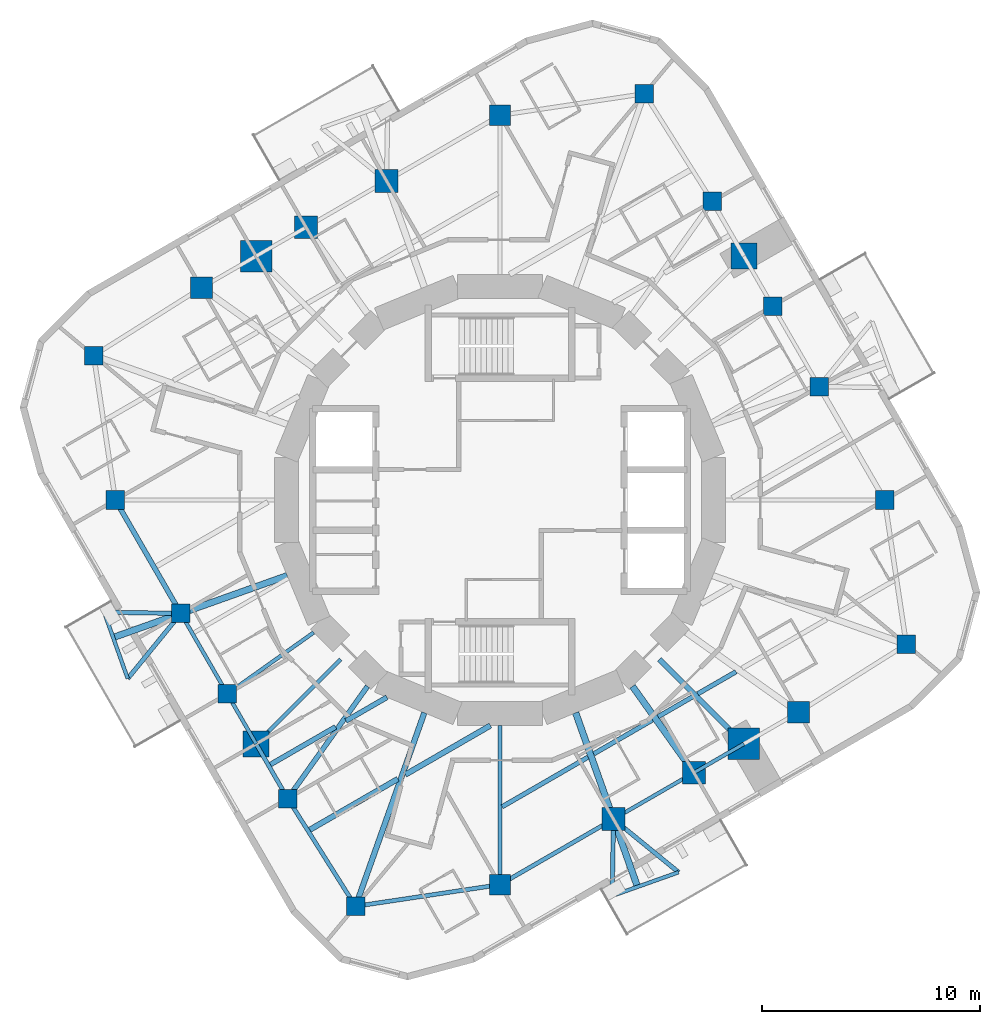
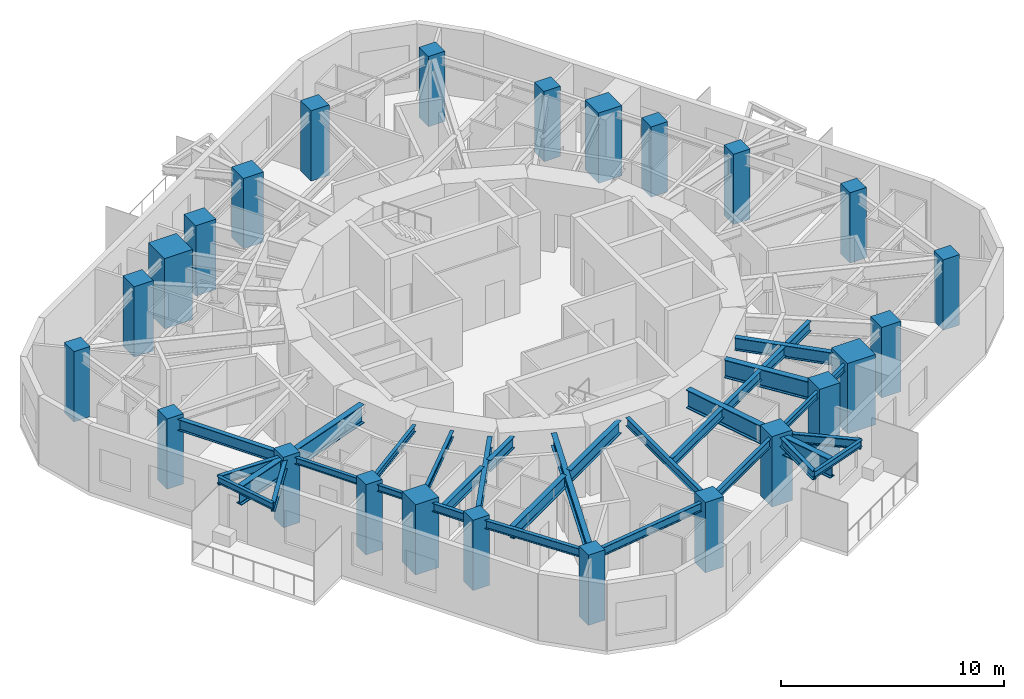
# One storey, part 1 of 11: 32 beams, 24 columns.
"""IFC4 building model written with IfcOpenShell, lengths in metres."""

import ifcopenshell
import ifcopenshell.guid

model = None  # the IFC model being written
_history = None  # IfcOwnerHistory: only IFC2X3 demands one
_inside = {}  # id of a spatial element -> (the spatial element, [elements in it])
_under = {}  # id of a project, library or spatial element -> (it, [spatial elements below it])
_declared = {}  # id of a project -> (the project, [libraries it declares])
_typed = {}  # id of a type object -> (the type object, [elements of that type])
_made_of = {}  # id of a material, layer set ... -> (it, [elements and type objects made of it])


def new_model(schema):
    """Start an empty IFC model of exactly this schema.

    Asked for "IFC4X3", IfcOpenShell would pick the latest addendum, in which some entities
    have other attributes; the version numbers below select the first issue.
    IFC2X3 requires an IfcOwnerHistory on every rooted entity: one is made here for all.
    """
    global model, _history
    if schema == "IFC4X3":
        model = ifcopenshell.file(schema_version=(4, 3, 0, 0))
    else:
        model = ifcopenshell.file(schema=schema)
    _inside.clear()
    _under.clear()
    _declared.clear()
    _typed.clear()
    _made_of.clear()
    _history = None
    if model.schema == "IFC2X3":
        org = make("IfcOrganization", Name="unknown")
        user = make(
            "IfcPersonAndOrganization",
            ThePerson=make("IfcPerson", FamilyName="unknown"),
            TheOrganization=org,
        )
        app = make(
            "IfcApplication",
            ApplicationDeveloper=org,
            Version="unknown",
            ApplicationFullName="unknown",
            ApplicationIdentifier="unknown",
        )
        _history = make(
            "IfcOwnerHistory",
            OwningUser=user,
            OwningApplication=app,
            ChangeAction="ADDED",
            CreationDate=0,
        )
    return model


def make(cls, **values):
    """One entity of the class cls with the attributes given. An attribute that is None is left unset."""
    return model.create_entity(
        cls, **{name: value for name, value in values.items() if value is not None}
    )


def rooted(cls, **values):
    """An entity with a GlobalId (a new one), such as an element, a storey or a relation."""
    return make(cls, GlobalId=ifcopenshell.guid.new(), OwnerHistory=_history, **values)


def si_unit(unit_type, name, prefix=None):
    """IfcSIUnit, for example si_unit("LENGTHUNIT", "METRE", prefix="MILLI")."""
    return make("IfcSIUnit", UnitType=unit_type, Prefix=prefix, Name=name)


def assignment(units):
    """IfcUnitAssignment: the units of a project."""
    return None if units is None else make("IfcUnitAssignment", Units=units)


def point(xyz):
    """IfcCartesianPoint."""
    return None if xyz is None else make("IfcCartesianPoint", Coordinates=xyz)


def direction(xyz):
    """IfcDirection."""
    return None if xyz is None else make("IfcDirection", DirectionRatios=xyz)


def frame(location, z_axis=None, x_axis=None):
    """IfcAxis2Placement3D, a coordinate frame: its origin and axes. An axis left out is left unset."""
    return make(
        "IfcAxis2Placement3D",
        Location=point(location),
        Axis=direction(z_axis),
        RefDirection=direction(x_axis),
    )


def frame_2d(location, x_axis=None):
    """IfcAxis2Placement2D, a coordinate frame in the plane: its origin and x axis."""
    return make(
        "IfcAxis2Placement2D", Location=point(location), RefDirection=direction(x_axis)
    )


def origin():
    """The frame at (0, 0, 0) with its axes left unset."""
    return frame((0.0, 0.0, 0.0))


def origin_2d():
    """The frame at (0, 0) in the plane with its x axis left unset."""
    return frame_2d((0.0, 0.0))


def place(relative_to, where):
    """IfcLocalPlacement: puts the frame where relative to a parent placement (None: the world)."""
    return make(
        "IfcLocalPlacement", PlacementRelTo=relative_to, RelativePlacement=where
    )


def context(
    kind, dimensions, precision=None, world=None, true_north=None, identifier=None
):
    """IfcGeometricRepresentationContext, for example the 3D "Model" context."""
    return make(
        "IfcGeometricRepresentationContext",
        ContextIdentifier=identifier,
        ContextType=kind,
        CoordinateSpaceDimension=dimensions,
        Precision=precision,
        WorldCoordinateSystem=world,
        TrueNorth=true_north,
    )


def subcontext(parent, identifier, kind, view, scale=None):
    """IfcGeometricRepresentationSubContext, for example "Body" below "Model"."""
    return make(
        "IfcGeometricRepresentationSubContext",
        ContextIdentifier=identifier,
        ContextType=kind,
        ParentContext=parent,
        TargetScale=scale,
        TargetView=view,
    )


def project(units=None, contexts=None):
    """IfcProject with its units and contexts."""
    return rooted(
        "IfcProject",
        Name="project",
        RepresentationContexts=contexts,
        UnitsInContext=assignment(units),
    )


def spatial(cls, under=None, at=None, **own):
    """A site, building, storey or space (cls), placed at a placement, below another one or the project."""
    s = rooted(cls, ObjectPlacement=at, **own)
    if under is not None:
        _under.setdefault(under.id(), (under, []))[1].append(s)
    return s


def profile(cls, at=None, kind="AREA", **sizes):
    """A parametric profile (cls). Its sizes go by their IFC names, for example OverallWidth=200.0."""
    return make(cls, ProfileType=kind, Position=at, **sizes)


def rectangle(**sizes):
    """IfcRectangleProfileDef."""
    return profile("IfcRectangleProfileDef", **sizes)


def i_section(**sizes):
    """IfcIShapeProfileDef."""
    return profile("IfcIShapeProfileDef", **sizes)


def extrude(swept, where, along, depth):
    """IfcExtrudedAreaSolid: the profile swept, set in the frame where, extruded along a direction by depth."""
    return make(
        "IfcExtrudedAreaSolid",
        SweptArea=swept,
        Position=where,
        ExtrudedDirection=direction(along),
        Depth=depth,
    )


def shape(context_of_items, identifier, shape_type, items):
    """IfcShapeRepresentation: the items that make up one representation, for example the "Body"."""
    return make(
        "IfcShapeRepresentation",
        ContextOfItems=context_of_items,
        RepresentationIdentifier=identifier,
        RepresentationType=shape_type,
        Items=items,
    )


def material(Name=None, Category=None):
    """IfcMaterial."""
    return make("IfcMaterial", Name=Name, Category=Category)


def material_profile(
    of_material, cross_section, Name=None, Category=None, Priority=None
):
    """IfcMaterialProfile: a cross section and its material."""
    return make(
        "IfcMaterialProfile",
        Name=Name,
        Material=of_material,
        Profile=cross_section,
        Priority=Priority,
        Category=Category,
    )


def profile_set(profiles, Name=None, composite=None):
    """IfcMaterialProfileSet."""
    return make(
        "IfcMaterialProfileSet",
        Name=Name,
        MaterialProfiles=profiles,
        CompositeProfile=composite,
    )


def made_of(thing, what):
    """Note that an element or type object is made of a material, layer set ...; save() writes the relation."""
    if what is not None:
        _made_of.setdefault(what.id(), (what, []))[1].append(thing)
    return thing


def type_object(cls, material=None, **own):
    """A type object (cls), such as IfcWallType, which elements share."""
    return made_of(rooted(cls, **own), material)


def element(
    cls,
    number,
    at=None,
    inside=None,
    cuts=None,
    type_object=None,
    material=None,
    context=None,
    identifier="Body",
    shape_type=None,
    held_by="IfcProductDefinitionShape",
    body=None,
    shapes=None,
    **own,
):
    """One element of the class cls, such as IfcWall. Its Tag is "e" and its number.

    at: its placement. inside: the storey or other place that contains it. cuts: it is an
    opening in that element (IfcRelVoidsElement). A single representation is given by context,
    identifier, shape_type and body (its items); several are given by shapes. held_by: the class
    of the entity that holds the representations. save() writes the other relations.
    """
    e = rooted(cls, Tag="e%d" % number, ObjectPlacement=at, **own)
    if body is not None:
        shapes = [shape(context, identifier, shape_type, body)]
    if shapes is not None:
        e.Representation = make(held_by, Representations=shapes)
    if inside is not None:
        _inside.setdefault(inside.id(), (inside, []))[1].append(e)
    if cuts is not None:
        rooted(
            "IfcRelVoidsElement", RelatingBuildingElement=cuts, RelatedOpeningElement=e
        )
    if type_object is not None:
        _typed.setdefault(type_object.id(), (type_object, []))[1].append(e)
    return made_of(e, material)


def aggregate(whole, parts):
    """IfcRelAggregates: a whole, such as a stair, and the parts it consists of."""
    return rooted("IfcRelAggregates", RelatingObject=whole, RelatedObjects=parts)


def save(model, path):
    """Write the relations noted so far, then the file.

    IfcRelAggregates (storeys below a building ...), IfcRelContainedInSpatialStructure (elements
    in a storey), IfcRelDefinesByType, IfcRelAssociatesMaterial and IfcRelDeclares: one each for
    every whole, place, type object, material and project.
    """
    for whole, parts in _under.values():
        aggregate(whole, parts)
    for where, things in _inside.values():
        rooted(
            "IfcRelContainedInSpatialStructure",
            RelatedElements=things,
            RelatingStructure=where,
        )
    for kind, things in _typed.values():
        rooted("IfcRelDefinesByType", RelatedObjects=things, RelatingType=kind)
    for what, things in _made_of.values():
        rooted("IfcRelAssociatesMaterial", RelatedObjects=things, RelatingMaterial=what)
    for by, libraries in _declared.values():
        rooted("IfcRelDeclares", RelatingContext=by, RelatedDefinitions=libraries)
    model.write(path)


model = new_model("IFC4")

# Units and contexts
model_context = context("Model", 3, precision=1e-05, world=origin(), true_north=direction((0.0, 1.0)))
body_context = subcontext(model_context, "Body", "Model", "MODEL_VIEW")
ifc_project = project(units=[si_unit("LENGTHUNIT", "METRE"), si_unit("AREAUNIT", "SQUARE_METRE"), si_unit("VOLUMEUNIT", "CUBIC_METRE"), si_unit("PLANEANGLEUNIT", "RADIAN"), si_unit("MASSUNIT", "GRAM", prefix="KILO")], contexts=[model_context])

# Site, building, storey
site_placement = place(None, origin())
site = spatial("IfcSite", under=ifc_project, at=site_placement, CompositionType="ELEMENT")
building_placement = place(site_placement, origin())
building = spatial("IfcBuilding", under=site, at=building_placement, Name="Nakasero Lantern House", CompositionType="ELEMENT")
storey_placement = place(building_placement, frame((0.0, 0.0, 242.35009765625)))
storey = spatial("IfcBuildingStorey", under=building, at=storey_placement, Name="L59", CompositionType="ELEMENT", Elevation=242.35009765625)

# Columns
ifc_material_1 = material(Name="Concrete C45/55", Category="concrete")
ifc_material_profile_1 = material_profile(ifc_material_1, rectangle(XDim=1.199951171875, YDim=1.199951171875, at=origin_2d()), Name="RC 1200x1200")
ifc_profile_set_1 = profile_set([ifc_material_profile_1], Name="Concrete C45/55")
column_type_1 = type_object("IfcColumnType", Name="Mega column RC 1200x1200 C45/55", PredefinedType="COLUMN", material=ifc_profile_set_1)
for number, where, z_axis, x_axis, name in (
    (1, (11.200439453125, 11.200439453125, 0.0), (0.0, 0.0, 1.0), (1.0, 0.0, 0.0), "Column B6-C06 L59"),
    (2, (-11.200439453125, -11.200439453125, 0.0), (0.0, 0.0, 1.0), (1.0, 0.0, 0.0), "Column B6-C18 L59"),
):
    element("IfcColumn", number, at=place(storey_placement, frame(where, z_axis=z_axis, x_axis=x_axis)), inside=storey, type_object=column_type_1, Name=name, PredefinedType="COLUMN", context=body_context, shape_type="SweptSolid", body=[
        extrude(rectangle(XDim=1.199951171875, YDim=1.199951171875, at=origin_2d()), origin(), (0.0, 0.0, 1.0), 3.849853515625),
    ])
ifc_material_2 = material(Name="Concrete C45/55", Category="concrete")
ifc_material_profile_2 = material_profile(ifc_material_2, rectangle(XDim=1.449951171875, YDim=1.449951171875, at=origin_2d()), Name="RC 1450x1450")
ifc_profile_set_2 = profile_set([ifc_material_profile_2], Name="Concrete C45/55")
column_type_2 = type_object("IfcColumnType", Name="Mega column RC 1450x1450 C45/55", PredefinedType="COLUMN", material=ifc_profile_set_2)
for number, where, z_axis, x_axis, name in (
    (3, (-11.200439453125, 11.200439453125, 0.0), (0.0, 0.0, 1.0), (1.0, 0.0, 0.0), "Column B6-C12 L59"),
    (4, (11.200439453125, -11.200439453125, 0.0), (0.0, 0.0, 1.0), (1.0, 0.0, 0.0), "Column B6-C24 L59"),
):
    element("IfcColumn", number, at=place(storey_placement, frame(where, z_axis=z_axis, x_axis=x_axis)), inside=storey, type_object=column_type_2, Name=name, PredefinedType="COLUMN", context=body_context, shape_type="SweptSolid", body=[
        extrude(rectangle(XDim=1.449951171875, YDim=1.449951171875, at=origin_2d()), origin(), (0.0, 0.0, 1.0), 3.849853515625),
    ])
ifc_material_3 = material(Name="Concrete C45/55", Category="concrete")
ifc_material_profile_3 = material_profile(ifc_material_3, rectangle(XDim=1.0, YDim=1.0, at=origin_2d()), Name="RC 1000x1000")
ifc_profile_set_3 = profile_set([ifc_material_profile_3], Name="Concrete C45/55")
column_type_3 = type_object("IfcColumnType", Name="Ring column RC 1000x1000 C45/55", PredefinedType="COLUMN", material=ifc_profile_set_3)
for number, where, z_axis, x_axis, name in (
    (5, (13.711669921875, -9.75048828125, 0.0), (0.0, 0.0, 1.0), (1.0, 0.0, 0.0), "Column B6-C01 L59"),
    (6, (-13.711669921875, 9.75048828125, 0.0), (0.0, 0.0, 1.0), (1.0, 0.0, 0.0), "Column B6-C13 L59"),
):
    element("IfcColumn", number, at=place(storey_placement, frame(where, z_axis=z_axis, x_axis=x_axis)), inside=storey, type_object=column_type_3, Name=name, PredefinedType="COLUMN", context=body_context, shape_type="SweptSolid", body=[
        extrude(rectangle(XDim=1.0, YDim=1.0, at=origin_2d()), origin(), (0.0, 0.0, 1.0), 3.849853515625),
    ])
ifc_material_4 = material(Name="Concrete C45/55", Category="concrete")
ifc_material_profile_4 = material_profile(ifc_material_4, rectangle(XDim=1.050048828125, YDim=1.050048828125, at=origin_2d()), Name="RC 1050x1050")
ifc_profile_set_4 = profile_set([ifc_material_profile_4], Name="Concrete C45/55")
column_type_4 = type_object("IfcColumnType", Name="Ring column RC 1050x1050 C45/55", PredefinedType="COLUMN", material=ifc_profile_set_4)
for number, where, z_axis, x_axis, name in (
    (7, (-5.211669921875, 14.657958984375, 0.0), (0.0, 0.0, 1.0), (1.0, 0.0, 0.0), "Column B6-C10 L59"),
    (8, (-8.906494140625, 12.524658203125, 0.0), (0.0, 0.0, 1.0), (1.0, 0.0, 0.0), "Column B6-C11 L59"),
    (9, (5.211669921875, -14.657958984375, 0.0), (0.0, 0.0, 1.0), (1.0, 0.0, 0.0), "Column B6-C22 L59"),
    (10, (8.906494140625, -12.524658203125, 0.0), (0.0, 0.0, 1.0), (1.0, 0.0, 0.0), "Column B6-C23 L59"),
):
    element("IfcColumn", number, at=place(storey_placement, frame(where, z_axis=z_axis, x_axis=x_axis)), inside=storey, type_object=column_type_4, Name=name, PredefinedType="COLUMN", context=body_context, shape_type="SweptSolid", body=[
        extrude(rectangle(XDim=1.050048828125, YDim=1.050048828125, at=origin_2d()), origin(), (0.0, 0.0, 1.0), 3.849853515625),
    ])
ifc_material_5 = material(Name="Concrete C45/55", Category="concrete")
ifc_material_profile_5 = material_profile(ifc_material_5, rectangle(XDim=0.85009765625, YDim=0.85009765625, at=origin_2d()), Name="RC 850x850")
ifc_profile_set_5 = profile_set([ifc_material_profile_5], Name="Concrete C45/55")
column_type_5 = type_object("IfcColumnType", Name="Ring column RC 850x850 C45/55", PredefinedType="COLUMN", material=ifc_profile_set_5)
for number, where, z_axis, x_axis, name in (
    (11, (18.661376953125, -6.63525390625, 0.0), (0.0, 0.0, 1.0), (1.0, 0.0, 0.0), "Column B6-C02 L59"),
    (12, (17.6669921875, 0.0, 0.0), (0.0, 0.0, 1.0), (1.0, 0.0, 0.0), "Column B6-C03 L59"),
    (13, (14.657958984375, 5.211669921875, 0.0), (0.0, 0.0, 1.0), (1.0, 0.0, 0.0), "Column B6-C04 L59"),
    (14, (12.524658203125, 8.906494140625, 0.0), (0.0, 0.0, 1.0), (1.0, 0.0, 0.0), "Column B6-C05 L59"),
    (15, (9.75048828125, 13.711669921875, 0.0), (0.0, 0.0, 1.0), (1.0, 0.0, 0.0), "Column B6-C07 L59"),
    (16, (6.63525390625, 18.661376953125, 0.0), (0.0, 0.0, 1.0), (1.0, 0.0, 0.0), "Column B6-C08 L59"),
    (17, (-18.661376953125, 6.63525390625, 0.0), (0.0, 0.0, 1.0), (1.0, 0.0, 0.0), "Column B6-C14 L59"),
    (18, (-17.6669921875, 0.0, 0.0), (0.0, 0.0, 1.0), (1.0, 0.0, 0.0), "Column B6-C15 L59"),
    (19, (-14.657958984375, -5.211669921875, 0.0), (0.0, 0.0, 1.0), (1.0, 0.0, 0.0), "Column B6-C16 L59"),
    (20, (-12.524658203125, -8.906494140625, 0.0), (0.0, 0.0, 1.0), (1.0, 0.0, 0.0), "Column B6-C17 L59"),
    (21, (-9.75048828125, -13.711669921875, 0.0), (0.0, 0.0, 1.0), (1.0, 0.0, 0.0), "Column B6-C19 L59"),
    (22, (-6.63525390625, -18.661376953125, 0.0), (0.0, 0.0, 1.0), (1.0, 0.0, 0.0), "Column B6-C20 L59"),
):
    element("IfcColumn", number, at=place(storey_placement, frame(where, z_axis=z_axis, x_axis=x_axis)), inside=storey, type_object=column_type_5, Name=name, PredefinedType="COLUMN", context=body_context, shape_type="SweptSolid", body=[
        extrude(rectangle(XDim=0.85009765625, YDim=0.85009765625, at=origin_2d()), origin(), (0.0, 0.0, 1.0), 3.849853515625),
    ])
ifc_material_6 = material(Name="Concrete C45/55", Category="concrete")
ifc_material_profile_6 = material_profile(ifc_material_6, rectangle(XDim=0.949951171875, YDim=0.949951171875, at=origin_2d()), Name="RC 950x950")
ifc_profile_set_6 = profile_set([ifc_material_profile_6], Name="Concrete C45/55")
column_type_6 = type_object("IfcColumnType", Name="Ring column RC 950x950 C45/55", PredefinedType="COLUMN", material=ifc_profile_set_6)
for number, where, z_axis, x_axis, name in (
    (23, (0.0, 17.6669921875, 0.0), (0.0, 0.0, 1.0), (1.0, 0.0, 0.0), "Column B6-C09 L59"),
    (24, (0.0, -17.6669921875, 0.0), (0.0, 0.0, 1.0), (1.0, 0.0, 0.0), "Column B6-C21 L59"),
):
    element("IfcColumn", number, at=place(storey_placement, frame(where, z_axis=z_axis, x_axis=x_axis)), inside=storey, type_object=column_type_6, Name=name, PredefinedType="COLUMN", context=body_context, shape_type="SweptSolid", body=[
        extrude(rectangle(XDim=0.949951171875, YDim=0.949951171875, at=origin_2d()), origin(), (0.0, 0.0, 1.0), 3.849853515625),
    ])

# Beams
ifc_material_7 = material(Name="Steel S355", Category="steel")
ifc_material_profile_7 = material_profile(ifc_material_7, i_section(OverallWidth=0.199462890625, OverallDepth=0.491943359375, WebThickness=0.01806640625, FlangeThickness=0.031982421875, FilletRadius=0.01025390625, at=origin_2d()), Name="UB 457x191x161")
ifc_profile_set_7 = profile_set([ifc_material_profile_7], Name="Steel S355")
beam_type_1 = type_object("IfcBeamType", Name="Balcony splay beam UB 457x191x161", PredefinedType="BEAM", material=ifc_profile_set_7)
beam_1_placement = place(storey_placement, frame((-14.657958984375, -5.211669921875, 3.40380859375), z_axis=(-0.632127727159, -0.774864205236, 0.0), x_axis=(0.774864205236, -0.632127727159, 0.0)))
element("IfcBeam", 25, at=beam_1_placement, inside=storey, type_object=beam_type_1, Name="Balcony splay beam L60 B6-C16A", PredefinedType="BEAM", context=body_context, shape_type="SweptSolid", body=[
    extrude(i_section(OverallWidth=0.199462890625, OverallDepth=0.491943359375, WebThickness=0.01806640625, FlangeThickness=0.031982421875, FilletRadius=0.01025390625, at=origin_2d()), origin(), (0.0, 0.0, 1.0), 3.858642578125),
])
beam_2_placement = place(storey_placement, frame((-14.657958984375, -5.211669921875, 3.40380859375), z_axis=(-0.99985827803, 0.016835196893, 0.0), x_axis=(-0.016835196893, -0.99985827803, 0.0)))
element("IfcBeam", 26, at=beam_2_placement, inside=storey, type_object=beam_type_1, Name="Balcony splay beam L60 B6-C16B", PredefinedType="BEAM", context=body_context, shape_type="SweptSolid", body=[
    extrude(i_section(OverallWidth=0.199462890625, OverallDepth=0.491943359375, WebThickness=0.01806640625, FlangeThickness=0.031982421875, FilletRadius=0.01025390625, at=origin_2d()), origin(), (0.0, 0.0, 1.0), 3.52392578125),
])
beam_3_placement = place(storey_placement, frame((5.211669921875, -14.657958984375, 3.40380859375), z_axis=(0.774864205236, -0.632127727159, 0.0), x_axis=(0.632127727159, 0.774864205236, 0.0)))
element("IfcBeam", 27, at=beam_3_placement, inside=storey, type_object=beam_type_1, Name="Balcony splay beam L60 B6-C22A", PredefinedType="BEAM", context=body_context, shape_type="SweptSolid", body=[
    extrude(i_section(OverallWidth=0.199462890625, OverallDepth=0.491943359375, WebThickness=0.01806640625, FlangeThickness=0.031982421875, FilletRadius=0.01025390625, at=origin_2d()), origin(), (0.0, 0.0, 1.0), 3.858642578125),
])
beam_4_placement = place(storey_placement, frame((5.211669921875, -14.657958984375, 3.40380859375), z_axis=(-0.016835196893, -0.99985827803, 0.0), x_axis=(0.99985827803, -0.016835196893, 0.0)))
element("IfcBeam", 28, at=beam_4_placement, inside=storey, type_object=beam_type_1, Name="Balcony splay beam L60 B6-C22B", PredefinedType="BEAM", context=body_context, shape_type="SweptSolid", body=[
    extrude(i_section(OverallWidth=0.199462890625, OverallDepth=0.491943359375, WebThickness=0.01806640625, FlangeThickness=0.031982421875, FilletRadius=0.01025390625, at=origin_2d()), origin(), (0.0, 0.0, 1.0), 3.52392578125),
])
ifc_material_8 = material(Name="Steel S355", Category="steel")
ifc_material_profile_8 = material_profile(ifc_material_8, i_section(OverallWidth=0.17138671875, OverallDepth=0.35498046875, WebThickness=0.00732421875, FlangeThickness=0.011474609375, FilletRadius=0.01025390625, at=origin_2d()), Name="UB 356x171x51")
ifc_profile_set_8 = profile_set([ifc_material_profile_8], Name="Steel S355")
beam_type_2 = type_object("IfcBeamType", Name="Balcony tie beam UB 356x171x51", PredefinedType="BEAM", material=ifc_profile_set_8)
for number, where, z_axis, x_axis, name in (
    (29, (-17.09716796875, -8.20166015625, 3.472412109375), (-0.335017108852, 0.942212044487, 0.0), (-0.942212044487, -0.335017108852, 0.0), "Balcony tie beam L60 B6-C16"),
    (30, (8.20166015625, -17.09716796875, 3.472412109375), (-0.942212044487, -0.335017108852, 0.0), (0.335017108852, -0.942212044487, 0.0), "Balcony tie beam L60 B6-C22"),
):
    element("IfcBeam", number, at=place(storey_placement, frame(where, z_axis=z_axis, x_axis=x_axis)), inside=storey, type_object=beam_type_2, Name=name, PredefinedType="BEAM", context=body_context, shape_type="SweptSolid", body=[
        extrude(i_section(OverallWidth=0.17138671875, OverallDepth=0.35498046875, WebThickness=0.00732421875, FlangeThickness=0.011474609375, FilletRadius=0.01025390625, at=origin_2d()), origin(), (0.0, 0.0, 1.0), 3.236328125),
    ])
ifc_material_9 = material(Name="Steel S355", Category="steel")
ifc_material_profile_9 = material_profile(ifc_material_9, i_section(OverallWidth=0.2099609375, OverallDepth=0.53662109375, WebThickness=0.0107421875, FlangeThickness=0.017333984375, FilletRadius=0.0126953125, at=origin_2d()), Name="UB 533x210x101")
ifc_profile_set_9 = profile_set([ifc_material_profile_9], Name="Steel S355")
beam_type_3 = type_object("IfcBeamType", Name="Infill beam UB 533x210x101", PredefinedType="JOIST", material=ifc_profile_set_9)
beam_5_placement = place(storey_placement, frame((0.095703125, -14.08984375, 3.381591796875), z_axis=(0.866027576455, 0.499996236806, 0.0), x_axis=(-0.499996236806, 0.866027576455, 0.0)))
element("IfcBeam", 31, at=beam_5_placement, inside=storey, type_object=beam_type_3, Name="Infill beam L60 03.1", PredefinedType="JOIST", context=body_context, shape_type="SweptSolid", body=[
    extrude(i_section(OverallWidth=0.2099609375, OverallDepth=0.53662109375, WebThickness=0.0107421875, FlangeThickness=0.017333984375, FilletRadius=0.0126953125, at=origin_2d()), origin(), (0.0, 0.0, 1.0), 4.55419921875),
])
beam_6_placement = place(storey_placement, frame((4.3056640625, -11.6591796875, 3.381591796875), z_axis=(0.866018346476, 0.500012223418, 0.0), x_axis=(-0.500012223418, 0.866018346476, 0.0)))
element("IfcBeam", 32, at=beam_6_placement, inside=storey, type_object=beam_type_3, Name="Infill beam L60 03.2", PredefinedType="JOIST", context=body_context, shape_type="SweptSolid", body=[
    extrude(i_section(OverallWidth=0.2099609375, OverallDepth=0.53662109375, WebThickness=0.0107421875, FlangeThickness=0.017333984375, FilletRadius=0.0126953125, at=origin_2d()), origin(), (0.0, 0.0, 1.0), 3.11181640625),
])
beam_7_placement = place(storey_placement, frame((7.261474609375, -9.95263671875, 3.381591796875), z_axis=(0.866028611999, 0.499994443168, 0.0), x_axis=(-0.499994443168, 0.866028611999, 0.0)))
element("IfcBeam", 33, at=beam_7_placement, inside=storey, type_object=beam_type_3, Name="Infill beam L60 03.3", PredefinedType="JOIST", context=body_context, shape_type="SweptSolid", body=[
    extrude(i_section(OverallWidth=0.2099609375, OverallDepth=0.53662109375, WebThickness=0.0107421875, FlangeThickness=0.017333984375, FilletRadius=0.0126953125, at=origin_2d()), origin(), (0.0, 0.0, 1.0), 1.8388671875),
])
beam_8_placement = place(storey_placement, frame((9.081298828125, -8.90185546875, 3.381591796875), z_axis=(0.866073420066, 0.499916824138, 0.0), x_axis=(-0.499916824138, 0.866073420066, 0.0)))
element("IfcBeam", 34, at=beam_8_placement, inside=storey, type_object=beam_type_3, Name="Infill beam L60 03.4", PredefinedType="JOIST", context=body_context, shape_type="SweptSolid", body=[
    extrude(i_section(OverallWidth=0.2099609375, OverallDepth=0.53662109375, WebThickness=0.0107421875, FlangeThickness=0.017333984375, FilletRadius=0.0126953125, at=origin_2d()), origin(), (0.0, 0.0, 1.0), 2.029541015625),
])
ifc_material_10 = material(Name="Steel S355", Category="steel")
ifc_material_profile_10 = material_profile(ifc_material_10, i_section(OverallWidth=0.22900390625, OverallDepth=0.6123046875, WebThickness=0.011962890625, FlangeThickness=0.01953125, FilletRadius=0.0126953125, at=origin_2d()), Name="UB 610x229x125")
ifc_profile_set_10 = profile_set([ifc_material_profile_10], Name="Steel S355")
beam_type_4 = type_object("IfcBeamType", Name="Infill beam UB 610x229x125", PredefinedType="JOIST", material=ifc_profile_set_10)
beam_9_placement = place(storey_placement, frame((-10.542236328125, -12.14892578125, 3.34375), z_axis=(0.866006607564, 0.500032554596, 0.0), x_axis=(-0.500032554596, 0.866006607564, 0.0)))
element("IfcBeam", 35, at=beam_9_placement, inside=storey, type_object=beam_type_4, Name="Infill beam L60 05.1", PredefinedType="JOIST", context=body_context, shape_type="SweptSolid", body=[
    extrude(i_section(OverallWidth=0.22900390625, OverallDepth=0.6123046875, WebThickness=0.011962890625, FlangeThickness=0.01953125, FilletRadius=0.0126953125, at=origin_2d()), origin(), (0.0, 0.0, 1.0), 3.452880859375),
])
beam_10_placement = place(storey_placement, frame((-7.0751953125, -10.14697265625, 3.34375), z_axis=(0.866043427695, 0.499968780372, 0.0), x_axis=(-0.499968780372, 0.866043427695, 0.0)))
element("IfcBeam", 36, at=beam_10_placement, inside=storey, type_object=beam_type_4, Name="Infill beam L60 05.2", PredefinedType="JOIST", context=body_context, shape_type="SweptSolid", body=[
    extrude(i_section(OverallWidth=0.22900390625, OverallDepth=0.6123046875, WebThickness=0.011962890625, FlangeThickness=0.01953125, FilletRadius=0.0126953125, at=origin_2d()), origin(), (0.0, 0.0, 1.0), 2.173583984375),
])
ifc_material_11 = material(Name="Steel S355", Category="steel")
ifc_material_profile_11 = material_profile(ifc_material_11, i_section(OverallWidth=0.253662109375, OverallDepth=0.68359375, WebThickness=0.012451171875, FlangeThickness=0.01904296875, FilletRadius=0.01513671875, at=origin_2d()), Name="UB 686x254x140")
ifc_profile_set_11 = profile_set([ifc_material_profile_11], Name="Steel S355")
beam_type_5 = type_object("IfcBeamType", Name="Infill beam UB 686x254x140", PredefinedType="JOIST", material=ifc_profile_set_11)
beam_11_placement = place(storey_placement, frame((-8.735107421875, -15.146728515625, 3.30810546875), z_axis=(0.866030607649, 0.499990986534, 0.0), x_axis=(-0.499990986534, 0.866030607649, 0.0)))
element("IfcBeam", 37, at=beam_11_placement, inside=storey, type_object=beam_type_5, Name="Infill beam L60 04.1", PredefinedType="JOIST", context=body_context, shape_type="SweptSolid", body=[
    extrude(i_section(OverallWidth=0.253662109375, OverallDepth=0.68359375, WebThickness=0.012451171875, FlangeThickness=0.01904296875, FilletRadius=0.01513671875, at=origin_2d()), origin(), (0.0, 0.0, 1.0), 4.66943359375),
])
beam_12_placement = place(storey_placement, frame((-4.349609375, -12.61474609375, 3.30810546875), z_axis=(0.86603787505, 0.499978398512, 0.0), x_axis=(-0.499978398512, 0.86603787505, 0.0)))
element("IfcBeam", 38, at=beam_12_placement, inside=storey, type_object=beam_type_5, Name="Infill beam L60 04.2", PredefinedType="JOIST", context=body_context, shape_type="SweptSolid", body=[
    extrude(i_section(OverallWidth=0.253662109375, OverallDepth=0.68359375, WebThickness=0.012451171875, FlangeThickness=0.01904296875, FilletRadius=0.01513671875, at=origin_2d()), origin(), (0.0, 0.0, 1.0), 4.513916015625),
])
ifc_material_12 = material(Name="Steel S355", Category="steel")
ifc_material_profile_12 = material_profile(ifc_material_12, i_section(OverallWidth=0.300048828125, OverallDepth=0.989990234375, WebThickness=0.0166015625, FlangeThickness=0.031005859375, FilletRadius=0.030029296875, at=origin_2d()), Name="UB 1016x305x272")
ifc_profile_set_12 = profile_set([ifc_material_profile_12], Name="Steel S355")
beam_type_6 = type_object("IfcBeamType", Name="Primary beam UB 1016x305x272, span to 6 m", PredefinedType="BEAM", material=ifc_profile_set_12)
beam_13_placement = place(storey_placement, frame((8.906494140625, -12.524658203125, 3.15478515625), z_axis=(-0.579513415446, 0.814962699342, 0.0), x_axis=(-0.814962699342, -0.579513415446, 0.0)))
element("IfcBeam", 39, at=beam_13_placement, inside=storey, type_object=beam_type_6, Name="Primary beam L60 B6-C23", PredefinedType="BEAM", context=body_context, shape_type="SweptSolid", body=[
    extrude(i_section(OverallWidth=0.300048828125, OverallDepth=0.989990234375, WebThickness=0.0166015625, FlangeThickness=0.031005859375, FilletRadius=0.030029296875, at=origin_2d()), origin(), (0.0, 0.0, 1.0), 4.8642578125),
])
ifc_material_13 = material(Name="Steel S355", Category="steel")
ifc_material_profile_13 = material_profile(ifc_material_13, i_section(OverallWidth=0.302001953125, OverallDepth=1.008056640625, WebThickness=0.02099609375, FlangeThickness=0.0400390625, FilletRadius=0.030029296875, at=origin_2d()), Name="UB 1016x305x349")
ifc_profile_set_13 = profile_set([ifc_material_profile_13], Name="Steel S355")
beam_type_7 = type_object("IfcBeamType", Name="Primary beam UB 1016x305x349, span to 6 m", PredefinedType="BEAM", material=ifc_profile_set_13)
for number, where, z_axis, x_axis, name in (
    (40, (-17.767333984375, -6.317138671875, 3.145751953125), (0.94222457875, 0.33498185503, 0.0), (-0.33498185503, 0.94222457875, 0.0), "Primary beam L60 B6-C16"),
    (41, (6.317138671875, -17.767333984375, 3.145751953125), (-0.33498185503, 0.94222457875, 0.0), (-0.94222457875, -0.33498185503, 0.0), "Primary beam L60 B6-C22"),
):
    element("IfcBeam", number, at=place(storey_placement, frame(where, z_axis=z_axis, x_axis=x_axis)), inside=storey, type_object=beam_type_7, Name=name, PredefinedType="BEAM", context=body_context, shape_type="SweptSolid", body=[
        extrude(i_section(OverallWidth=0.302001953125, OverallDepth=1.008056640625, WebThickness=0.02099609375, FlangeThickness=0.0400390625, FilletRadius=0.030029296875, at=origin_2d()), origin(), (0.0, 0.0, 1.0), 8.485595703125),
    ])
ifc_material_14 = material(Name="Steel S355", Category="steel")
ifc_material_profile_14 = material_profile(ifc_material_14, i_section(OverallWidth=0.17138671875, OverallDepth=0.35498046875, WebThickness=0.00732421875, FlangeThickness=0.011474609375, FilletRadius=0.01025390625, at=origin_2d()), Name="UB 356x171x51")
ifc_profile_set_14 = profile_set([ifc_material_profile_14], Name="Steel S355")
beam_type_8 = type_object("IfcBeamType", Name="Primary beam UB 356x171x51, span to 6 m", PredefinedType="BEAM", material=ifc_profile_set_14)
beam_14_placement = place(storey_placement, frame((-12.524658203125, -8.906494140625, 3.472412109375), z_axis=(0.814962699342, 0.579513415446, 0.0), x_axis=(-0.579513415446, 0.814962699342, 0.0)))
element("IfcBeam", 42, at=beam_14_placement, inside=storey, type_object=beam_type_8, Name="Primary beam L60 B6-C17", PredefinedType="BEAM", context=body_context, shape_type="SweptSolid", body=[
    extrude(i_section(OverallWidth=0.17138671875, OverallDepth=0.35498046875, WebThickness=0.00732421875, FlangeThickness=0.011474609375, FilletRadius=0.01025390625, at=origin_2d()), origin(), (0.0, 0.0, 1.0), 4.8642578125),
])
beam_15_placement = place(storey_placement, frame((-11.200439453125, -11.200439453125, 3.472412109375), z_axis=(0.707106781187, 0.707106781187, 0.0), x_axis=(-0.707106781187, 0.707106781187, 0.0)))
element("IfcBeam", 43, at=beam_15_placement, inside=storey, type_object=beam_type_8, Name="Primary beam L60 B6-C18", PredefinedType="BEAM", context=body_context, shape_type="SweptSolid", body=[
    extrude(i_section(OverallWidth=0.17138671875, OverallDepth=0.35498046875, WebThickness=0.00732421875, FlangeThickness=0.011474609375, FilletRadius=0.01025390625, at=origin_2d()), origin(), (0.0, 0.0, 1.0), 5.481689453125),
])
ifc_material_15 = material(Name="Steel S355", Category="steel")
ifc_material_profile_15 = material_profile(ifc_material_15, i_section(OverallWidth=0.19140625, OverallDepth=0.4599609375, WebThickness=0.010009765625, FlangeThickness=0.01611328125, FilletRadius=0.01025390625, at=origin_2d()), Name="UB 457x191x82")
ifc_profile_set_15 = profile_set([ifc_material_profile_15], Name="Steel S355")
beam_type_9 = type_object("IfcBeamType", Name="Primary beam UB 457x191x82, span 6 to 9 m", PredefinedType="BEAM", material=ifc_profile_set_15)
beam_16_placement = place(storey_placement, frame((0.0, -17.6669921875, 3.419921875), z_axis=(0.0, 1.0, 0.0), x_axis=(-1.0, 0.0, 0.0)))
element("IfcBeam", 44, at=beam_16_placement, inside=storey, type_object=beam_type_9, Name="Primary beam L60 B6-C21", PredefinedType="BEAM", context=body_context, shape_type="SweptSolid", body=[
    extrude(i_section(OverallWidth=0.19140625, OverallDepth=0.4599609375, WebThickness=0.010009765625, FlangeThickness=0.01611328125, FilletRadius=0.01025390625, at=origin_2d()), origin(), (0.0, 0.0, 1.0), 7.30908203125),
])
ifc_material_16 = material(Name="Steel S355", Category="steel")
ifc_material_profile_16 = material_profile(ifc_material_16, i_section(OverallWidth=0.22900390625, OverallDepth=0.6123046875, WebThickness=0.011962890625, FlangeThickness=0.01953125, FilletRadius=0.0126953125, at=origin_2d()), Name="UB 610x229x125")
ifc_profile_set_16 = profile_set([ifc_material_profile_16], Name="Steel S355")
beam_type_10 = type_object("IfcBeamType", Name="Primary beam UB 610x229x125, span 6 to 9 m", PredefinedType="BEAM", material=ifc_profile_set_16)
beam_17_placement = place(storey_placement, frame((-9.75048828125, -13.711669921875, 3.34375), z_axis=(0.579504973637, 0.814968702178, 0.0), x_axis=(-0.814968702178, 0.579504973637, 0.0)))
element("IfcBeam", 45, at=beam_17_placement, inside=storey, type_object=beam_type_10, Name="Primary beam L60 B6-C19", PredefinedType="BEAM", context=body_context, shape_type="SweptSolid", body=[
    extrude(i_section(OverallWidth=0.22900390625, OverallDepth=0.6123046875, WebThickness=0.011962890625, FlangeThickness=0.01953125, FilletRadius=0.0126953125, at=origin_2d()), origin(), (0.0, 0.0, 1.0), 6.320556640625),
])
ifc_material_17 = material(Name="Steel S355", Category="steel")
ifc_material_profile_17 = material_profile(ifc_material_17, i_section(OverallWidth=0.253662109375, OverallDepth=0.68359375, WebThickness=0.012451171875, FlangeThickness=0.01904296875, FilletRadius=0.01513671875, at=origin_2d()), Name="UB 686x254x140")
ifc_profile_set_17 = profile_set([ifc_material_profile_17], Name="Steel S355")
beam_type_11 = type_object("IfcBeamType", Name="Primary beam UB 686x254x140, span to 6 m", PredefinedType="BEAM", material=ifc_profile_set_17)
beam_18_placement = place(storey_placement, frame((11.200439453125, -11.200439453125, 3.30810546875), z_axis=(-0.707106781187, 0.707106781187, 0.0), x_axis=(-0.707106781187, -0.707106781187, 0.0)))
element("IfcBeam", 46, at=beam_18_placement, inside=storey, type_object=beam_type_11, Name="Primary beam L60 B6-C24", PredefinedType="BEAM", context=body_context, shape_type="SweptSolid", body=[
    extrude(i_section(OverallWidth=0.253662109375, OverallDepth=0.68359375, WebThickness=0.012451171875, FlangeThickness=0.01904296875, FilletRadius=0.01513671875, at=origin_2d()), origin(), (0.0, 0.0, 1.0), 5.481689453125),
])
ifc_material_18 = material(Name="Steel S355", Category="steel")
ifc_material_profile_18 = material_profile(ifc_material_18, i_section(OverallWidth=0.255859375, OverallDepth=0.69287109375, WebThickness=0.014404296875, FlangeThickness=0.023681640625, FilletRadius=0.01513671875, at=origin_2d()), Name="UB 686x254x170")
ifc_profile_set_18 = profile_set([ifc_material_profile_18], Name="Steel S355")
beam_type_12 = type_object("IfcBeamType", Name="Primary beam UB 686x254x170, span 9 to 12 m", PredefinedType="BEAM", material=ifc_profile_set_18)
beam_19_placement = place(storey_placement, frame((-6.63525390625, -18.661376953125, 3.303466796875), z_axis=(0.335006604588, 0.942215779364, 0.0), x_axis=(-0.942215779364, 0.335006604588, 0.0)))
element("IfcBeam", 47, at=beam_19_placement, inside=storey, type_object=beam_type_12, Name="Primary beam L60 B6-C20", PredefinedType="BEAM", context=body_context, shape_type="SweptSolid", body=[
    extrude(i_section(OverallWidth=0.255859375, OverallDepth=0.69287109375, WebThickness=0.014404296875, FlangeThickness=0.023681640625, FilletRadius=0.01513671875, at=origin_2d()), origin(), (0.0, 0.0, 1.0), 9.4345703125),
])
ifc_material_19 = material(Name="Steel S355", Category="steel")
ifc_material_profile_19 = material_profile(ifc_material_19, i_section(OverallWidth=0.17138671875, OverallDepth=0.35498046875, WebThickness=0.00732421875, FlangeThickness=0.011474609375, FilletRadius=0.01025390625, at=origin_2d()), Name="UB 356x171x51")
ifc_profile_set_19 = profile_set([ifc_material_profile_19], Name="Steel S355")
beam_type_13 = type_object("IfcBeamType", Name="Ring beam UB 356x171x51", PredefinedType="BEAM", material=ifc_profile_set_19)
beam_20_placement = place(storey_placement, frame((-14.657958984375, -5.211669921875, 3.472412109375), z_axis=(0.500016352561, -0.866015962423, 0.0), x_axis=(0.866015962423, 0.500016352561, 0.0)))
element("IfcBeam", 48, at=beam_20_placement, inside=storey, type_object=beam_type_13, Name="Ring beam L60 B6-C16", PredefinedType="BEAM", context=body_context, shape_type="SweptSolid", body=[
    extrude(i_section(OverallWidth=0.17138671875, OverallDepth=0.35498046875, WebThickness=0.00732421875, FlangeThickness=0.011474609375, FilletRadius=0.01025390625, at=origin_2d()), origin(), (0.0, 0.0, 1.0), 4.266357421875),
])
beam_21_placement = place(storey_placement, frame((-12.524658203125, -8.906494140625, 3.472412109375), z_axis=(0.499945861543, -0.866056658381, 0.0), x_axis=(0.866056658381, 0.499945861543, 0.0)))
element("IfcBeam", 49, at=beam_21_placement, inside=storey, type_object=beam_type_13, Name="Ring beam L60 B6-C17", PredefinedType="BEAM", context=body_context, shape_type="SweptSolid", body=[
    extrude(i_section(OverallWidth=0.17138671875, OverallDepth=0.35498046875, WebThickness=0.00732421875, FlangeThickness=0.011474609375, FilletRadius=0.01025390625, at=origin_2d()), origin(), (0.0, 0.0, 1.0), 2.648681640625),
])
beam_22_placement = place(storey_placement, frame((5.211669921875, -14.657958984375, 3.472412109375), z_axis=(0.866015962423, 0.500016352561, 0.0), x_axis=(-0.500016352561, 0.866015962423, 0.0)))
element("IfcBeam", 50, at=beam_22_placement, inside=storey, type_object=beam_type_13, Name="Ring beam L60 B6-C22", PredefinedType="BEAM", context=body_context, shape_type="SweptSolid", body=[
    extrude(i_section(OverallWidth=0.17138671875, OverallDepth=0.35498046875, WebThickness=0.00732421875, FlangeThickness=0.011474609375, FilletRadius=0.01025390625, at=origin_2d()), origin(), (0.0, 0.0, 1.0), 4.266357421875),
])
beam_23_placement = place(storey_placement, frame((8.906494140625, -12.524658203125, 3.472412109375), z_axis=(0.866056658381, 0.499945861543, 0.0), x_axis=(-0.499945861543, 0.866056658381, 0.0)))
element("IfcBeam", 51, at=beam_23_placement, inside=storey, type_object=beam_type_13, Name="Ring beam L60 B6-C23", PredefinedType="BEAM", context=body_context, shape_type="SweptSolid", body=[
    extrude(i_section(OverallWidth=0.17138671875, OverallDepth=0.35498046875, WebThickness=0.00732421875, FlangeThickness=0.011474609375, FilletRadius=0.01025390625, at=origin_2d()), origin(), (0.0, 0.0, 1.0), 2.648681640625),
])
ifc_material_20 = material(Name="Steel S355", Category="steel")
ifc_material_profile_20 = material_profile(ifc_material_20, i_section(OverallWidth=0.18994140625, OverallDepth=0.453369140625, WebThickness=0.008544921875, FlangeThickness=0.0126953125, FilletRadius=0.01025390625, at=origin_2d()), Name="UB 457x191x67")
ifc_profile_set_20 = profile_set([ifc_material_profile_20], Name="Steel S355")
beam_type_14 = type_object("IfcBeamType", Name="Ring beam UB 457x191x67", PredefinedType="BEAM", material=ifc_profile_set_20)
beam_24_placement = place(storey_placement, frame((-9.75048828125, -13.711669921875, 3.423095703125), z_axis=(0.532660471024, -0.846329027393, 0.0), x_axis=(0.846329027393, 0.532660471024, 0.0)))
element("IfcBeam", 52, at=beam_24_placement, inside=storey, type_object=beam_type_14, Name="Ring beam L60 B6-C19", PredefinedType="BEAM", context=body_context, shape_type="SweptSolid", body=[
    extrude(i_section(OverallWidth=0.18994140625, OverallDepth=0.453369140625, WebThickness=0.008544921875, FlangeThickness=0.0126953125, FilletRadius=0.01025390625, at=origin_2d()), origin(), (0.0, 0.0, 1.0), 5.848388671875),
])
beam_25_placement = place(storey_placement, frame((0.0, -17.6669921875, 3.423095703125), z_axis=(0.866020066889, 0.50000924366, 0.0), x_axis=(-0.50000924366, 0.866020066889, 0.0)))
element("IfcBeam", 53, at=beam_25_placement, inside=storey, type_object=beam_type_14, Name="Ring beam L60 B6-C21", PredefinedType="BEAM", context=body_context, shape_type="SweptSolid", body=[
    extrude(i_section(OverallWidth=0.18994140625, OverallDepth=0.453369140625, WebThickness=0.008544921875, FlangeThickness=0.0126953125, FilletRadius=0.01025390625, at=origin_2d()), origin(), (0.0, 0.0, 1.0), 6.01806640625),
])
ifc_material_21 = material(Name="Steel S355", Category="steel")
ifc_material_profile_21 = material_profile(ifc_material_21, i_section(OverallWidth=0.19140625, OverallDepth=0.4599609375, WebThickness=0.010009765625, FlangeThickness=0.01611328125, FilletRadius=0.01025390625, at=origin_2d()), Name="UB 457x191x82")
ifc_profile_set_21 = profile_set([ifc_material_profile_21], Name="Steel S355")
beam_type_15 = type_object("IfcBeamType", Name="Ring beam UB 457x191x82", PredefinedType="BEAM", material=ifc_profile_set_21)
beam_26_placement = place(storey_placement, frame((-11.200439453125, -11.200439453125, 3.419921875), z_axis=(0.500023687443, -0.866011727401, 0.0), x_axis=(0.866011727401, 0.500023687443, 0.0)))
element("IfcBeam", 54, at=beam_26_placement, inside=storey, type_object=beam_type_15, Name="Ring beam L60 B6-C18", PredefinedType="BEAM", context=body_context, shape_type="SweptSolid", body=[
    extrude(i_section(OverallWidth=0.19140625, OverallDepth=0.4599609375, WebThickness=0.010009765625, FlangeThickness=0.01611328125, FilletRadius=0.01025390625, at=origin_2d()), origin(), (0.0, 0.0, 1.0), 2.899658203125),
])
beam_27_placement = place(storey_placement, frame((-6.63525390625, -18.661376953125, 3.419921875), z_axis=(0.988956095107, 0.148208778253, 0.0), x_axis=(-0.148208778253, 0.988956095107, 0.0)))
element("IfcBeam", 55, at=beam_27_placement, inside=storey, type_object=beam_type_15, Name="Ring beam L60 B6-C20", PredefinedType="BEAM", context=body_context, shape_type="SweptSolid", body=[
    extrude(i_section(OverallWidth=0.19140625, OverallDepth=0.4599609375, WebThickness=0.010009765625, FlangeThickness=0.01611328125, FilletRadius=0.01025390625, at=origin_2d()), origin(), (0.0, 0.0, 1.0), 6.70947265625),
])
ifc_material_22 = material(Name="Steel S355", Category="steel")
ifc_material_profile_22 = material_profile(ifc_material_22, i_section(OverallWidth=0.22900390625, OverallDepth=0.6123046875, WebThickness=0.011962890625, FlangeThickness=0.01953125, FilletRadius=0.0126953125, at=origin_2d()), Name="UB 610x229x125")
ifc_profile_set_22 = profile_set([ifc_material_profile_22], Name="Steel S355")
beam_type_16 = type_object("IfcBeamType", Name="Ring beam UB 610x229x125", PredefinedType="BEAM", material=ifc_profile_set_22)
beam_28_placement = place(storey_placement, frame((-17.6669921875, 0.0, 3.34375), z_axis=(0.50000924366, -0.866020066889, 0.0), x_axis=(0.866020066889, 0.50000924366, 0.0)))
element("IfcBeam", 56, at=beam_28_placement, inside=storey, type_object=beam_type_16, Name="Ring beam L60 B6-C15", PredefinedType="BEAM", context=body_context, shape_type="SweptSolid", body=[
    extrude(i_section(OverallWidth=0.22900390625, OverallDepth=0.6123046875, WebThickness=0.011962890625, FlangeThickness=0.01953125, FilletRadius=0.0126953125, at=origin_2d()), origin(), (0.0, 0.0, 1.0), 6.01806640625),
])

save(model, "model.ifc")
